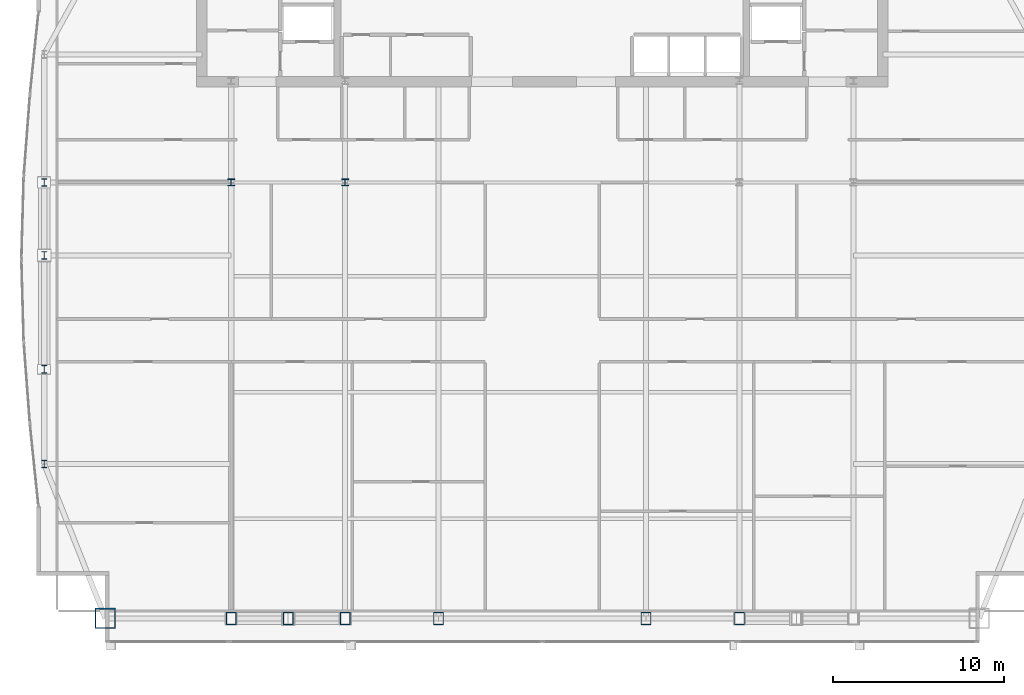
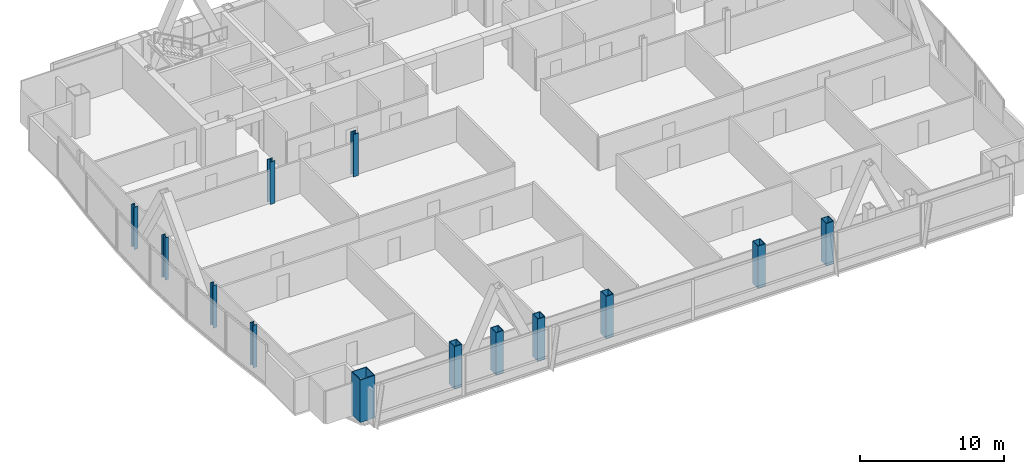
# One storey, part 1 of 32: 13 columns.
"""IFC4 building model written with IfcOpenShell, lengths in metres."""

import ifcopenshell
import ifcopenshell.guid

model = None  # the IFC model being written
_history = None  # IfcOwnerHistory: only IFC2X3 demands one
_inside = {}  # id of a spatial element -> (the spatial element, [elements in it])
_under = {}  # id of a project, library or spatial element -> (it, [spatial elements below it])
_declared = {}  # id of a project -> (the project, [libraries it declares])
_typed = {}  # id of a type object -> (the type object, [elements of that type])
_made_of = {}  # id of a material, layer set ... -> (it, [elements and type objects made of it])


def new_model(schema):
    """Start an empty IFC model of exactly this schema.

    Asked for "IFC4X3", IfcOpenShell would pick the latest addendum, in which some entities
    have other attributes; the version numbers below select the first issue.
    IFC2X3 requires an IfcOwnerHistory on every rooted entity: one is made here for all.
    """
    global model, _history
    if schema == "IFC4X3":
        model = ifcopenshell.file(schema_version=(4, 3, 0, 0))
    else:
        model = ifcopenshell.file(schema=schema)
    _inside.clear()
    _under.clear()
    _declared.clear()
    _typed.clear()
    _made_of.clear()
    _history = None
    if model.schema == "IFC2X3":
        org = make("IfcOrganization", Name="unknown")
        user = make(
            "IfcPersonAndOrganization",
            ThePerson=make("IfcPerson", FamilyName="unknown"),
            TheOrganization=org,
        )
        app = make(
            "IfcApplication",
            ApplicationDeveloper=org,
            Version="unknown",
            ApplicationFullName="unknown",
            ApplicationIdentifier="unknown",
        )
        _history = make(
            "IfcOwnerHistory",
            OwningUser=user,
            OwningApplication=app,
            ChangeAction="ADDED",
            CreationDate=0,
        )
    return model


def make(cls, **values):
    """One entity of the class cls with the attributes given. An attribute that is None is left unset."""
    return model.create_entity(
        cls, **{name: value for name, value in values.items() if value is not None}
    )


def rooted(cls, **values):
    """An entity with a GlobalId (a new one), such as an element, a storey or a relation."""
    return make(cls, GlobalId=ifcopenshell.guid.new(), OwnerHistory=_history, **values)


def si_unit(unit_type, name, prefix=None):
    """IfcSIUnit, for example si_unit("LENGTHUNIT", "METRE", prefix="MILLI")."""
    return make("IfcSIUnit", UnitType=unit_type, Prefix=prefix, Name=name)


def assignment(units):
    """IfcUnitAssignment: the units of a project."""
    return None if units is None else make("IfcUnitAssignment", Units=units)


def point(xyz):
    """IfcCartesianPoint."""
    return None if xyz is None else make("IfcCartesianPoint", Coordinates=xyz)


def direction(xyz):
    """IfcDirection."""
    return None if xyz is None else make("IfcDirection", DirectionRatios=xyz)


def frame(location, z_axis=None, x_axis=None):
    """IfcAxis2Placement3D, a coordinate frame: its origin and axes. An axis left out is left unset."""
    return make(
        "IfcAxis2Placement3D",
        Location=point(location),
        Axis=direction(z_axis),
        RefDirection=direction(x_axis),
    )


def frame_2d(location, x_axis=None):
    """IfcAxis2Placement2D, a coordinate frame in the plane: its origin and x axis."""
    return make(
        "IfcAxis2Placement2D", Location=point(location), RefDirection=direction(x_axis)
    )


def origin():
    """The frame at (0, 0, 0) with its axes left unset."""
    return frame((0.0, 0.0, 0.0))


def origin_2d():
    """The frame at (0, 0) in the plane with its x axis left unset."""
    return frame_2d((0.0, 0.0))


def place(relative_to, where):
    """IfcLocalPlacement: puts the frame where relative to a parent placement (None: the world)."""
    return make(
        "IfcLocalPlacement", PlacementRelTo=relative_to, RelativePlacement=where
    )


def context(
    kind, dimensions, precision=None, world=None, true_north=None, identifier=None
):
    """IfcGeometricRepresentationContext, for example the 3D "Model" context."""
    return make(
        "IfcGeometricRepresentationContext",
        ContextIdentifier=identifier,
        ContextType=kind,
        CoordinateSpaceDimension=dimensions,
        Precision=precision,
        WorldCoordinateSystem=world,
        TrueNorth=true_north,
    )


def subcontext(parent, identifier, kind, view, scale=None):
    """IfcGeometricRepresentationSubContext, for example "Body" below "Model"."""
    return make(
        "IfcGeometricRepresentationSubContext",
        ContextIdentifier=identifier,
        ContextType=kind,
        ParentContext=parent,
        TargetScale=scale,
        TargetView=view,
    )


def project(units=None, contexts=None):
    """IfcProject with its units and contexts."""
    return rooted(
        "IfcProject",
        Name="project",
        RepresentationContexts=contexts,
        UnitsInContext=assignment(units),
    )


def spatial(cls, under=None, at=None, **own):
    """A site, building, storey or space (cls), placed at a placement, below another one or the project."""
    s = rooted(cls, ObjectPlacement=at, **own)
    if under is not None:
        _under.setdefault(under.id(), (under, []))[1].append(s)
    return s


def profile(cls, at=None, kind="AREA", **sizes):
    """A parametric profile (cls). Its sizes go by their IFC names, for example OverallWidth=200.0."""
    return make(cls, ProfileType=kind, Position=at, **sizes)


def hollow_rectangle(**sizes):
    """IfcRectangleHollowProfileDef."""
    return profile("IfcRectangleHollowProfileDef", **sizes)


def i_section(**sizes):
    """IfcIShapeProfileDef."""
    return profile("IfcIShapeProfileDef", **sizes)


def extrude(swept, where, along, depth):
    """IfcExtrudedAreaSolid: the profile swept, set in the frame where, extruded along a direction by depth."""
    return make(
        "IfcExtrudedAreaSolid",
        SweptArea=swept,
        Position=where,
        ExtrudedDirection=direction(along),
        Depth=depth,
    )


def shape(context_of_items, identifier, shape_type, items):
    """IfcShapeRepresentation: the items that make up one representation, for example the "Body"."""
    return make(
        "IfcShapeRepresentation",
        ContextOfItems=context_of_items,
        RepresentationIdentifier=identifier,
        RepresentationType=shape_type,
        Items=items,
    )


def material(Name=None, Category=None):
    """IfcMaterial."""
    return make("IfcMaterial", Name=Name, Category=Category)


def material_profile(
    of_material, cross_section, Name=None, Category=None, Priority=None
):
    """IfcMaterialProfile: a cross section and its material."""
    return make(
        "IfcMaterialProfile",
        Name=Name,
        Material=of_material,
        Profile=cross_section,
        Priority=Priority,
        Category=Category,
    )


def profile_set(profiles, Name=None, composite=None):
    """IfcMaterialProfileSet."""
    return make(
        "IfcMaterialProfileSet",
        Name=Name,
        MaterialProfiles=profiles,
        CompositeProfile=composite,
    )


def made_of(thing, what):
    """Note that an element or type object is made of a material, layer set ...; save() writes the relation."""
    if what is not None:
        _made_of.setdefault(what.id(), (what, []))[1].append(thing)
    return thing


def type_object(cls, material=None, **own):
    """A type object (cls), such as IfcWallType, which elements share."""
    return made_of(rooted(cls, **own), material)


def element(
    cls,
    number,
    at=None,
    inside=None,
    cuts=None,
    type_object=None,
    material=None,
    context=None,
    identifier="Body",
    shape_type=None,
    held_by="IfcProductDefinitionShape",
    body=None,
    shapes=None,
    **own,
):
    """One element of the class cls, such as IfcWall. Its Tag is "e" and its number.

    at: its placement. inside: the storey or other place that contains it. cuts: it is an
    opening in that element (IfcRelVoidsElement). A single representation is given by context,
    identifier, shape_type and body (its items); several are given by shapes. held_by: the class
    of the entity that holds the representations. save() writes the other relations.
    """
    e = rooted(cls, Tag="e%d" % number, ObjectPlacement=at, **own)
    if body is not None:
        shapes = [shape(context, identifier, shape_type, body)]
    if shapes is not None:
        e.Representation = make(held_by, Representations=shapes)
    if inside is not None:
        _inside.setdefault(inside.id(), (inside, []))[1].append(e)
    if cuts is not None:
        rooted(
            "IfcRelVoidsElement", RelatingBuildingElement=cuts, RelatedOpeningElement=e
        )
    if type_object is not None:
        _typed.setdefault(type_object.id(), (type_object, []))[1].append(e)
    return made_of(e, material)


def aggregate(whole, parts):
    """IfcRelAggregates: a whole, such as a stair, and the parts it consists of."""
    return rooted("IfcRelAggregates", RelatingObject=whole, RelatedObjects=parts)


def save(model, path):
    """Write the relations noted so far, then the file.

    IfcRelAggregates (storeys below a building ...), IfcRelContainedInSpatialStructure (elements
    in a storey), IfcRelDefinesByType, IfcRelAssociatesMaterial and IfcRelDeclares: one each for
    every whole, place, type object, material and project.
    """
    for whole, parts in _under.values():
        aggregate(whole, parts)
    for where, things in _inside.values():
        rooted(
            "IfcRelContainedInSpatialStructure",
            RelatedElements=things,
            RelatingStructure=where,
        )
    for kind, things in _typed.values():
        rooted("IfcRelDefinesByType", RelatedObjects=things, RelatingType=kind)
    for what, things in _made_of.values():
        rooted("IfcRelAssociatesMaterial", RelatedObjects=things, RelatingMaterial=what)
    for by, libraries in _declared.values():
        rooted("IfcRelDeclares", RelatingContext=by, RelatedDefinitions=libraries)
    model.write(path)


model = new_model("IFC4")

# Units and contexts
model_context = context("Model", 3, precision=1e-05, world=origin(), true_north=direction((0.0, 1.0)))
body_context = subcontext(model_context, "Body", "Model", "MODEL_VIEW")
ifc_project = project(units=[si_unit("LENGTHUNIT", "METRE"), si_unit("AREAUNIT", "SQUARE_METRE"), si_unit("VOLUMEUNIT", "CUBIC_METRE"), si_unit("PLANEANGLEUNIT", "RADIAN"), si_unit("MASSUNIT", "GRAM", prefix="KILO")], contexts=[model_context])

# Site, building, storey
site_placement = place(None, origin())
site = spatial("IfcSite", under=ifc_project, at=site_placement, CompositionType="ELEMENT")
building_placement = place(site_placement, origin())
building = spatial("IfcBuilding", under=site, at=building_placement, Name="Khoronbel Lancet Exchange", CompositionType="ELEMENT")
storey_placement = place(building_placement, frame((0.0, 0.0, 231.800048828125)))
storey = spatial("IfcBuildingStorey", under=building, at=storey_placement, Name="L59", CompositionType="ELEMENT", Elevation=231.800048828125)

# Columns
ifc_material_1 = material(Name="Steel S460", Category="steel")
ifc_material_profile_1 = material_profile(ifc_material_1, hollow_rectangle(XDim=0.60009765625, YDim=0.75, WallThickness=0.044921875, at=origin_2d()), Name="BOX 750x600x45")
ifc_profile_set_1 = profile_set([ifc_material_profile_1], Name="Steel S460")
column_type_1 = type_object("IfcColumnType", Name="COL-EC3", PredefinedType="COLUMN", material=ifc_profile_set_1)
for number, where, z_axis, x_axis, name in (
    (1, (18.22509765625, 10.14990234375, 0.0), (0.0, 0.0, 1.0), (1.0, 0.0, 0.0), "Structural column SC-W1 L59"),
    (2, (21.5625, 10.14990234375, 0.0), (0.0, 0.0, 1.0), (1.0, 0.0, 0.0), "Structural column SC-WM L59"),
    (3, (24.89990234375, 10.14990234375, 0.0), (0.0, 0.0, 1.0), (1.0, 0.0, 0.0), "Structural column SC-W2 L59"),
    (4, (30.375, 10.14990234375, 0.0), (0.0, 0.0, 1.0), (1.0, 0.0, 0.0), "Structural column SC-C1 L59"),
    (5, (42.52490234375, 10.14990234375, 0.0), (0.0, 0.0, 1.0), (1.0, 0.0, 0.0), "Structural column SC-C2 L59"),
    (6, (48.0, 10.14990234375, 0.0), (0.0, 0.0, 1.0), (1.0, 0.0, 0.0), "Structural column SC-E1 L59"),
):
    element("IfcColumn", number, at=place(storey_placement, frame(where, z_axis=z_axis, x_axis=x_axis)), inside=storey, type_object=column_type_1, Name=name, PredefinedType="COLUMN", context=body_context, shape_type="SweptSolid", body=[
        extrude(hollow_rectangle(XDim=0.60009765625, YDim=0.75, WallThickness=0.044921875, at=origin_2d()), origin(), (0.0, 0.0, 1.0), 3.599853515625),
    ])
ifc_material_2 = material(Name="Steel S355", Category="steel")
ifc_material_profile_2 = material_profile(ifc_material_2, i_section(OverallWidth=0.406005859375, OverallDepth=0.416015625, WebThickness=0.02978515625, FlangeThickness=0.048095703125, at=origin_2d()), Name="HD 400x382")
ifc_profile_set_2 = profile_set([ifc_material_profile_2], Name="Steel S355")
column_type_2 = type_object("IfcColumnType", Name="COL-IC3", PredefinedType="COLUMN", material=ifc_profile_set_2)
for number, where, z_axis, x_axis, name in (
    (7, (18.22509765625, 35.699951171875, 0.0), (0.0, 0.0, 1.0), (1.0, 0.0, 0.0), "Spine gravity column TC1 L59"),
    (8, (24.89990234375, 35.699951171875, 0.0), (0.0, 0.0, 1.0), (1.0, 0.0, 0.0), "Spine gravity column TC2 L59"),
):
    element("IfcColumn", number, at=place(storey_placement, frame(where, z_axis=z_axis, x_axis=x_axis)), inside=storey, type_object=column_type_2, Name=name, PredefinedType="COLUMN", context=body_context, shape_type="SweptSolid", body=[
        extrude(i_section(OverallWidth=0.406005859375, OverallDepth=0.416015625, WebThickness=0.02978515625, FlangeThickness=0.048095703125, at=origin_2d()), origin(), (0.0, 0.0, 1.0), 3.599853515625),
    ])
ifc_material_profile_3 = material_profile(ifc_material_2, i_section(OverallWidth=0.300048828125, OverallDepth=0.449951171875, WebThickness=0.013916015625, FlangeThickness=0.02587890625, at=origin_2d()), Name="HEB 450")
ifc_profile_set_3 = profile_set([ifc_material_profile_3], Name="Steel S355")
column_type_3 = type_object("IfcColumnType", Name="COL-LC2", PredefinedType="COLUMN", material=ifc_profile_set_3)
for number, where, z_axis, x_axis, name in (
    (9, (7.27001953125, 19.199951171875, 0.0), (0.0, 0.0, 1.0), (1.0, 0.0, 0.0), "Structural column WC-1 L59"),
    (10, (7.27001953125, 24.75, 0.0), (0.0, 0.0, 1.0), (1.0, 0.0, 0.0), "Structural column WC-2 L59"),
    (11, (7.27001953125, 31.425048828125, 0.0), (0.0, 0.0, 1.0), (1.0, 0.0, 0.0), "Structural column WC-M L59"),
    (12, (7.27001953125, 35.699951171875, 0.0), (0.0, 0.0, 1.0), (1.0, 0.0, 0.0), "Structural column WC-3 L59"),
):
    element("IfcColumn", number, at=place(storey_placement, frame(where, z_axis=z_axis, x_axis=x_axis)), inside=storey, type_object=column_type_3, Name=name, PredefinedType="COLUMN", context=body_context, shape_type="SweptSolid", body=[
        extrude(i_section(OverallWidth=0.300048828125, OverallDepth=0.449951171875, WebThickness=0.013916015625, FlangeThickness=0.02587890625, at=origin_2d()), origin(), (0.0, 0.0, 1.0), 3.599853515625),
    ])
ifc_material_profile_4 = material_profile(ifc_material_1, hollow_rectangle(XDim=1.199951171875, YDim=1.199951171875, WallThickness=0.06005859375, at=origin_2d()), Name="BOX 1200x1200x60")
ifc_profile_set_4 = profile_set([ifc_material_profile_4], Name="Steel S460")
column_type_4 = type_object("IfcColumnType", Name="COL-MC5", PredefinedType="COLUMN", material=ifc_profile_set_4)
column_placement = place(storey_placement, frame((10.85009765625, 10.14990234375, 0.0), z_axis=(0.0, 0.0, 1.0), x_axis=(1.0, 0.0, 0.0)))
element("IfcColumn", 13, at=column_placement, inside=storey, type_object=column_type_4, Name="Structural column MC-SW L59", PredefinedType="COLUMN", context=body_context, shape_type="SweptSolid", body=[
    extrude(hollow_rectangle(XDim=1.199951171875, YDim=1.199951171875, WallThickness=0.06005859375, at=origin_2d()), origin(), (0.0, 0.0, 1.0), 3.599853515625),
])

save(model, "model.ifc")
